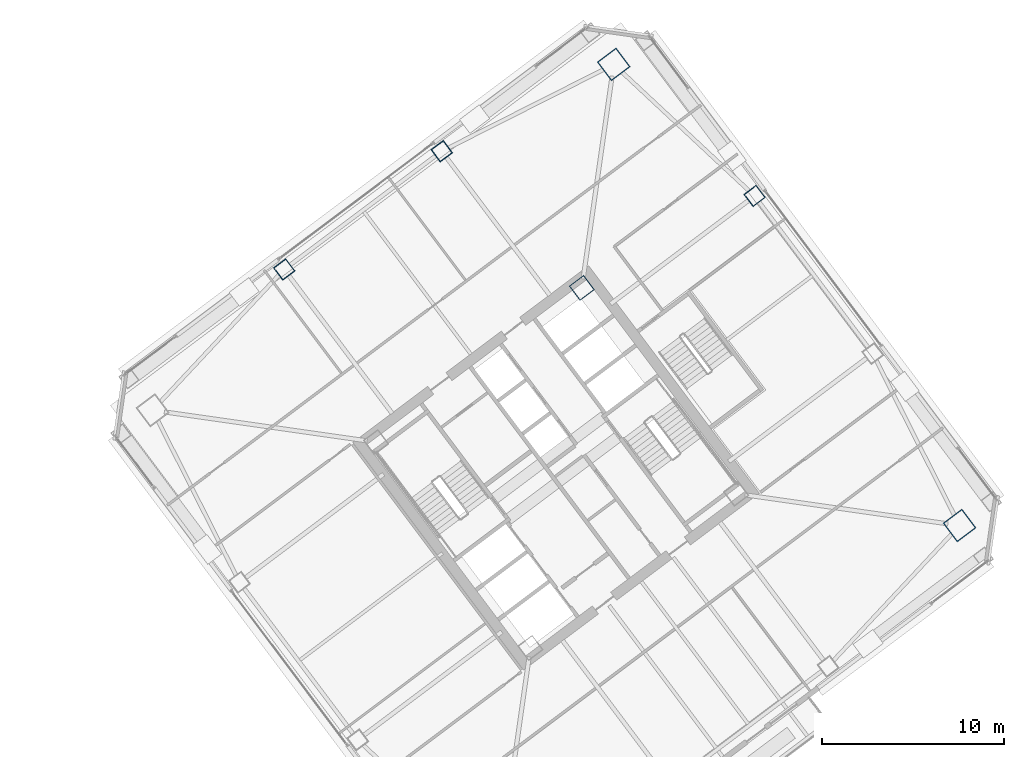
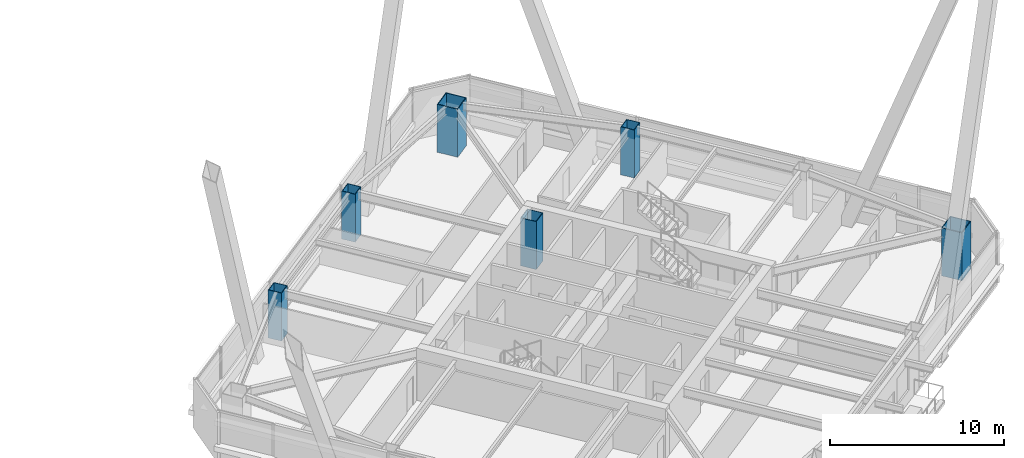
# One storey, part 2 of 54: 6 columns.
"""IFC4 building model written with IfcOpenShell, lengths in metres."""

from ifc_helpers import new_model, si_unit, direction, frame, origin, origin_2d, place, context, subcontext, project, spatial, hollow_rectangle, extrude, material, material_profile, profile_set, type_object, element, save


model = new_model("IFC4")

# Units and contexts
model_context = context("Model", 3, precision=1e-05, world=origin(), true_north=direction((0.0, 1.0)))
body_context = subcontext(model_context, "Body", "Model", "MODEL_VIEW")
ifc_project = project(units=[si_unit("LENGTHUNIT", "METRE"), si_unit("AREAUNIT", "SQUARE_METRE"), si_unit("VOLUMEUNIT", "CUBIC_METRE"), si_unit("PLANEANGLEUNIT", "RADIAN"), si_unit("MASSUNIT", "GRAM", prefix="KILO")], contexts=[model_context])

# Site, building, storey
site_placement = place(None, origin())
site = spatial("IfcSite", under=ifc_project, at=site_placement, CompositionType="ELEMENT")
building_placement = place(site_placement, origin())
building = spatial("IfcBuilding", under=site, at=building_placement, Name="Tashvorn Skyway Center", CompositionType="ELEMENT")
storey_placement = place(building_placement, frame((0.0, 0.0, 135.699951171875)))
storey = spatial("IfcBuildingStorey", under=building, at=storey_placement, Name="L36", CompositionType="ELEMENT", Elevation=135.699951171875)

# Columns
ifc_material = material(Name="Steel ASTM A572 Grade 50", Category="steel")
ifc_material_profile_1 = material_profile(ifc_material, hollow_rectangle(XDim=1.0, YDim=1.0, WallThickness=0.0400390625, at=origin_2d()), Name="BOX1000x1000x40")
ifc_profile_set_1 = profile_set([ifc_material_profile_1], Name="Steel ASTM A572 Grade 50")
column_type_1 = type_object("IfcColumnType", Name="COL-BOX1000x1000x40", PredefinedType="COLUMN", material=ifc_profile_set_1)
column_placement = place(storey_placement, frame((115.409912109375, 41.8701171875, 0.0), z_axis=(0.0, 0.0, 1.0), x_axis=(0.799999996291, 0.600000004945, 0.0)))
element("IfcColumn", 1, at=column_placement, inside=storey, type_object=column_type_1, Name="Tower 2 L36 Core Corner Column CC-NE", PredefinedType="COLUMN", context=body_context, shape_type="SweptSolid", body=[
    extrude(hollow_rectangle(XDim=1.0, YDim=1.0, WallThickness=0.0400390625, at=origin_2d()), origin(), (0.0, 0.0, 1.0), 3.3701171875),
])
ifc_material_profile_2 = material_profile(ifc_material, hollow_rectangle(XDim=1.300048828125, YDim=1.300048828125, WallThickness=0.050048828125, at=origin_2d()), Name="BOX1300x1300x50")
ifc_profile_set_2 = profile_set([ifc_material_profile_2], Name="Steel ASTM A572 Grade 50")
column_type_2 = type_object("IfcColumnType", Name="COL-BOX1300x1300x50", PredefinedType="COLUMN", material=ifc_profile_set_2)
for number, where, z_axis, x_axis, name in (
    (2, (136.1201171875, 28.840087890625, 0.0), (0.0, 0.0, 1.0), (0.799999996291, 0.600000004945, 0.0), "Tower 2 L36 Mega-Column MC-SE"),
    (3, (117.159912109375, 54.1201171875, 0.0), (0.0, 0.0, 1.0), (0.799999996291, 0.600000004945, 0.0), "Tower 2 L36 Mega-Column MC-NE"),
):
    element("IfcColumn", number, at=place(storey_placement, frame(where, z_axis=z_axis, x_axis=x_axis)), inside=storey, type_object=column_type_2, Name=name, PredefinedType="COLUMN", context=body_context, shape_type="SweptSolid", body=[
        extrude(hollow_rectangle(XDim=1.300048828125, YDim=1.300048828125, WallThickness=0.050048828125, at=origin_2d()), origin(), (0.0, 0.0, 1.0), 3.3701171875),
    ])
ifc_material_profile_3 = material_profile(ifc_material, hollow_rectangle(XDim=0.85009765625, YDim=0.85009765625, WallThickness=0.034912109375, at=origin_2d()), Name="BOX850x850x35")
ifc_profile_set_3 = profile_set([ifc_material_profile_3], Name="Steel ASTM A572 Grade 50")
column_type_3 = type_object("IfcColumnType", Name="COL-BOX850x850x35", PredefinedType="COLUMN", material=ifc_profile_set_3)
for number, where, z_axis, x_axis, name in (
    (4, (124.8798828125, 46.909912109375, 0.0), (0.0, 0.0, 1.0), (0.799999996291, 0.600000004945, 0.0), "Tower 2 L36 Perimeter Column FC-E2"),
    (5, (107.72998046875, 49.360107421875, 0.0), (0.0, 0.0, 1.0), (0.799999996291, 0.600000004945, 0.0), "Tower 2 L36 Perimeter Column FC-N1"),
    (6, (99.090087890625, 42.8798828125, 0.0), (0.0, 0.0, 1.0), (0.799999996291, 0.600000004945, 0.0), "Tower 2 L36 Perimeter Column FC-N2"),
):
    element("IfcColumn", number, at=place(storey_placement, frame(where, z_axis=z_axis, x_axis=x_axis)), inside=storey, type_object=column_type_3, Name=name, PredefinedType="COLUMN", context=body_context, shape_type="SweptSolid", body=[
        extrude(hollow_rectangle(XDim=0.85009765625, YDim=0.85009765625, WallThickness=0.034912109375, at=origin_2d()), origin(), (0.0, 0.0, 1.0), 3.3701171875),
    ])

save(model, "model.ifc")
